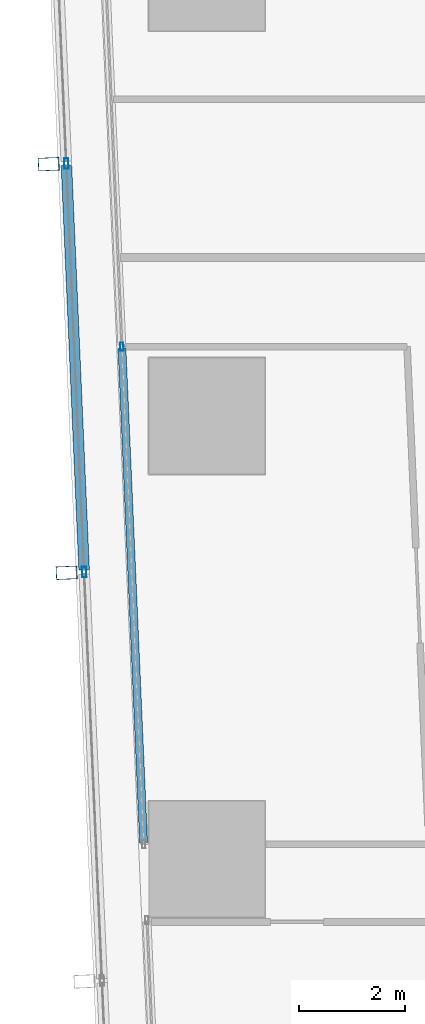
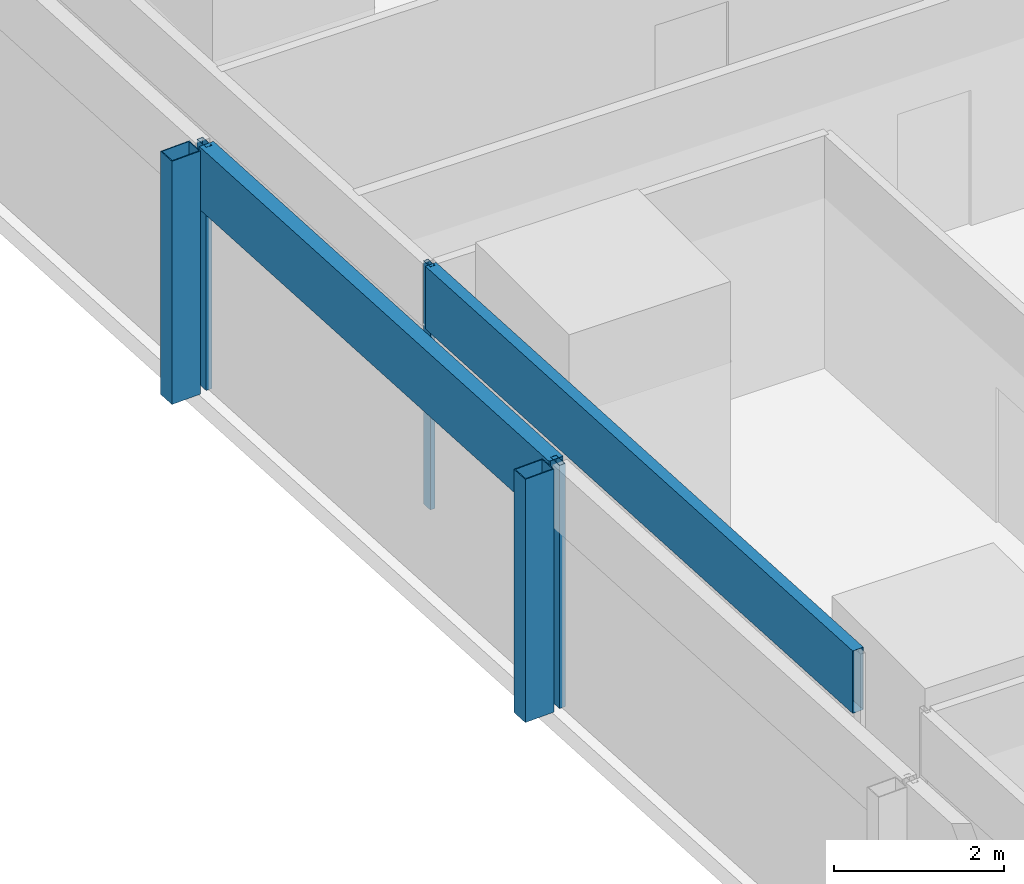
# One storey, part 7 of 44: 7 members, 2 elements without a shape of their own.
"""IFC4 building model written with IfcOpenShell, lengths in metres."""

from ifc_helpers import new_model, si_unit, direction, frame, origin, origin_2d, place, context, subcontext, project, spatial, hollow_rectangle, extrude, material, material_profile, profile_set, type_object, element, aggregate, save


model = new_model("IFC4")

# Units and contexts
model_context = context("Model", 3, precision=1e-05, world=origin(), true_north=direction((0.0, 1.0)))
body_context = subcontext(model_context, "Body", "Model", "MODEL_VIEW")
ifc_project = project(units=[si_unit("LENGTHUNIT", "METRE"), si_unit("AREAUNIT", "SQUARE_METRE"), si_unit("VOLUMEUNIT", "CUBIC_METRE"), si_unit("PLANEANGLEUNIT", "RADIAN"), si_unit("MASSUNIT", "GRAM", prefix="KILO")], contexts=[model_context])

# Site, building, storey
site_placement = place(None, origin())
site = spatial("IfcSite", under=ifc_project, at=site_placement, CompositionType="ELEMENT")
building_placement = place(site_placement, origin())
building = spatial("IfcBuilding", under=site, at=building_placement, Name="Rekha Terrace Tower", CompositionType="ELEMENT")
storey_placement = place(building_placement, frame((0.0, 0.0, 74.14990234375)))
storey = spatial("IfcBuildingStorey", under=building, at=storey_placement, Name="L18", CompositionType="ELEMENT", Elevation=74.14990234375)

# Curtain wall, members
ifc_material_1 = material(Name="Aluminium framing", Category="aluminium")
curtain_wall_type_1 = type_object("IfcCurtainWallType", Name="CW2 double skin outer glazing", PredefinedType="USERDEFINED", material=ifc_material_1)
curtain_wall_1_placement = place(storey_placement, origin())
curtain_wall_1 = element("IfcCurtainWall", 1, at=curtain_wall_1_placement, inside=storey, type_object=curtain_wall_type_1, Name="CW2 double skin outer glazing", ObjectType="DOUBLE SKIN OUTER GLAZING", PredefinedType="USERDEFINED")
ifc_material_2 = material(Name="Steel S355 with fluorocarbon finish", Category="steel")
ifc_material_profile_1 = material_profile(ifc_material_2, hollow_rectangle(XDim=0.25, YDim=0.39990234375, WallThickness=0.012451171875, at=origin_2d()), Name="RHS400x250x12.5")
ifc_profile_set_1 = profile_set([ifc_material_profile_1], Name="Steel S355 with fluorocarbon finish")
member_type_1 = type_object("IfcMemberType", Name="BL1 facade blade RHS 400 x 250", PredefinedType="USERDEFINED", material=ifc_profile_set_1)
member_1_placement = place(storey_placement, frame((5.40283203125, 29.97119140625, 0.0), z_axis=(0.0, 0.0, 1.0), x_axis=(0.04368215933, -0.999045478923, 0.0)))
member_1 = element("IfcMember", 2, at=member_1_placement, type_object=member_type_1, Name="Facade blade", ObjectType="FACADE BLADE", PredefinedType="USERDEFINED", context=body_context, shape_type="SweptSolid", body=[
    extrude(hollow_rectangle(XDim=0.25, YDim=0.39990234375, WallThickness=0.012451171875, at=origin_2d()), origin(), (0.0, 0.0, 1.0), 3.5),
])
member_2_placement = place(storey_placement, frame((5.74169921875, 22.226806640625, 0.0), z_axis=(0.0, 0.0, 1.0), x_axis=(0.04368215933, -0.999045478923, 0.0)))
member_2 = element("IfcMember", 3, at=member_2_placement, type_object=member_type_1, Name="Facade blade", ObjectType="FACADE BLADE", PredefinedType="USERDEFINED", context=body_context, shape_type="SweptSolid", body=[
    extrude(hollow_rectangle(XDim=0.25, YDim=0.39990234375, WallThickness=0.012451171875, at=origin_2d()), origin(), (0.0, 0.0, 1.0), 3.5),
])

curtain_wall_type_2 = type_object("IfcCurtainWallType", Name="CW1 double skin inner glazing", PredefinedType="USERDEFINED", material=ifc_material_1)
curtain_wall_2_placement = place(storey_placement, origin())
curtain_wall_2 = element("IfcCurtainWall", 4, at=curtain_wall_2_placement, inside=storey, type_object=curtain_wall_type_2, Name="CW1 double skin inner glazing", ObjectType="DOUBLE SKIN INNER GLAZING", PredefinedType="USERDEFINED")
ifc_material_3 = material(Name="Aluminium mullion section", Category="aluminium")
ifc_material_profile_2 = material_profile(ifc_material_3, hollow_rectangle(XDim=0.06494140625, YDim=0.14990234375, WallThickness=0.00390625, at=origin_2d()), Name="AL RHS 65x150")
ifc_profile_set_2 = profile_set([ifc_material_profile_2], Name="Aluminium mullion section")
member_type_2 = type_object("IfcMemberType", Name="CW1 mullion RHS 65 x 150", PredefinedType="MULLION", material=ifc_profile_set_2)
member_3_placement = place(storey_placement, frame((6.790283203125, 26.5126953125, 0.0), z_axis=(0.0, 0.0, 1.0), x_axis=(0.999045462133, 0.043682543337, 0.0)))
member_3 = element("IfcMember", 5, at=member_3_placement, type_object=member_type_2, Name="CW1 mullion 3", PredefinedType="MULLION", context=body_context, shape_type="SweptSolid", body=[
    extrude(hollow_rectangle(XDim=0.06494140625, YDim=0.14990234375, WallThickness=0.00390625, at=origin_2d()), origin(), (0.0, 0.0, 1.0), 3.5),
])
ifc_material_4 = material(Name="Insulated aluminium spandrel box", Category="aluminium")
ifc_material_profile_3 = material_profile(ifc_material_4, hollow_rectangle(XDim=0.14990234375, YDim=0.89990234375, WallThickness=0.0029296875, at=origin_2d()), Name="AL SPANDREL BOX 150x900")
ifc_profile_set_3 = profile_set([ifc_material_profile_3], Name="Insulated aluminium spandrel box")
member_type_3 = type_object("IfcMemberType", Name="CW1 spandrel transom 150 x 900", PredefinedType="USERDEFINED", material=ifc_profile_set_3)
member_4_placement = place(storey_placement, frame((6.791748046875, 26.480224609375, 3.050048828125), z_axis=(0.043688050697, -0.999045221312, 0.0), x_axis=(0.999045221312, 0.043688050697, 0.0)))
member_4 = element("IfcMember", 6, at=member_4_placement, type_object=member_type_3, Name="CW1 spandrel transom 3", ObjectType="TRANSOM", PredefinedType="USERDEFINED", context=body_context, shape_type="SweptSolid", body=[
    extrude(hollow_rectangle(XDim=0.14990234375, YDim=0.89990234375, WallThickness=0.0029296875, at=origin_2d()), origin(), (0.0, 0.0, 1.0), 9.377197265625),
])
aggregate(curtain_wall_2, [member_3, member_4])

# Member
ifc_material_profile_4 = material_profile(ifc_material_3, hollow_rectangle(XDim=0.080078125, YDim=0.199951171875, WallThickness=0.00390625, at=origin_2d()), Name="AL RHS 80x200")
ifc_profile_set_4 = profile_set([ifc_material_profile_4], Name="Aluminium mullion section")
member_type_4 = type_object("IfcMemberType", Name="CW2 mullion RHS 80 x 200", PredefinedType="MULLION", material=ifc_profile_set_4)
member_5_placement = place(storey_placement, frame((5.737548828125, 29.98583984375, 0.0), z_axis=(0.0, 0.0, 1.0), x_axis=(0.999045462131, 0.043682543372, 0.0)))
member_5 = element("IfcMember", 7, at=member_5_placement, type_object=member_type_4, Name="CW2 mullion 3", PredefinedType="MULLION", context=body_context, shape_type="SweptSolid", body=[
    extrude(hollow_rectangle(XDim=0.080078125, YDim=0.199951171875, WallThickness=0.00390625, at=origin_2d()), origin(), (0.0, 0.0, 1.0), 3.5),
])

member_6_placement = place(storey_placement, frame((6.076171875, 22.241455078125, 0.0), z_axis=(0.0, 0.0, 1.0), x_axis=(0.999045462131, 0.043682543372, 0.0)))
member_6 = element("IfcMember", 8, at=member_6_placement, type_object=member_type_4, Name="CW2 mullion 4", PredefinedType="MULLION", context=body_context, shape_type="SweptSolid", body=[
    extrude(hollow_rectangle(XDim=0.080078125, YDim=0.199951171875, WallThickness=0.00390625, at=origin_2d()), origin(), (0.0, 0.0, 1.0), 3.5),
])

ifc_material_profile_5 = material_profile(ifc_material_4, hollow_rectangle(XDim=0.199951171875, YDim=0.89990234375, WallThickness=0.0029296875, at=origin_2d()), Name="AL SPANDREL BOX 200x900")
ifc_profile_set_5 = profile_set([ifc_material_profile_5], Name="Insulated aluminium spandrel box")
member_type_5 = type_object("IfcMemberType", Name="CW2 spandrel transom 200 x 900", PredefinedType="USERDEFINED", material=ifc_profile_set_5)
member_7_placement = place(storey_placement, frame((5.7392578125, 29.94580078125, 3.050048828125), z_axis=(0.04369270591, -0.99904501773, 0.0), x_axis=(0.99904501773, 0.04369270591, 0.0)))
member_7 = element("IfcMember", 9, at=member_7_placement, type_object=member_type_5, Name="CW2 spandrel transom 3", ObjectType="TRANSOM", PredefinedType="USERDEFINED", context=body_context, shape_type="SweptSolid", body=[
    extrude(hollow_rectangle(XDim=0.199951171875, YDim=0.89990234375, WallThickness=0.0029296875, at=origin_2d()), origin(), (0.0, 0.0, 1.0), 7.671875),
])

aggregate(curtain_wall_1, [member_5, member_6, member_7, member_1, member_2])

save(model, "model.ifc")
